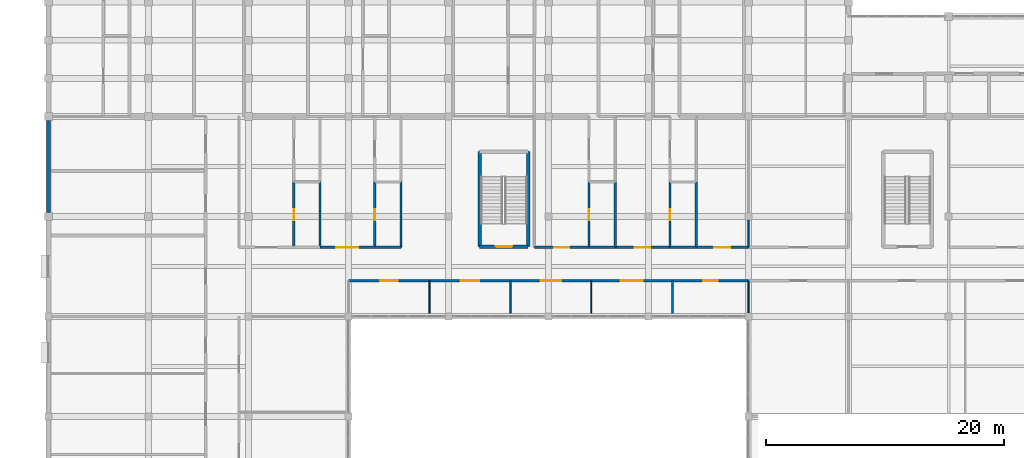
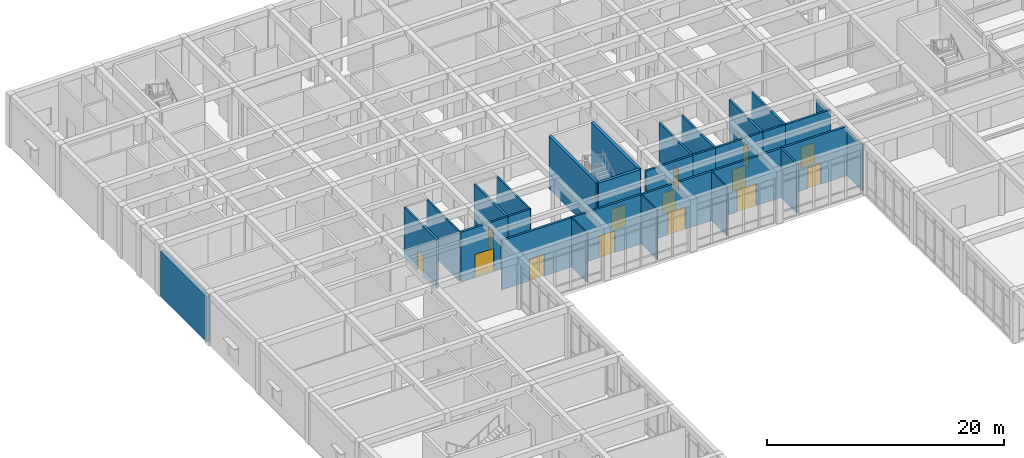
# One storey, part 55 of 89: 30 walls, 14 doors, 14 openings.
"""IFC4 building model written with IfcOpenShell, lengths in metres."""

from ifc_helpers import new_model, si_unit, direction, frame, frame_2d, origin, place, context, subcontext, project, spatial, rectangle, extrude, material, layer, layer_set, type_object, element, fill, save


model = new_model("IFC4")

# Units and contexts
model_context = context("Model", 3, precision=1e-05, world=origin(), true_north=direction((0.0, 1.0)))
body_context = subcontext(model_context, "Body", "Model", "MODEL_VIEW")
ifc_project = project(units=[si_unit("LENGTHUNIT", "METRE"), si_unit("AREAUNIT", "SQUARE_METRE"), si_unit("VOLUMEUNIT", "CUBIC_METRE"), si_unit("PLANEANGLEUNIT", "RADIAN"), si_unit("MASSUNIT", "GRAM", prefix="KILO")], contexts=[model_context])

# Site, building, storey
site_placement = place(None, origin())
site = spatial("IfcSite", under=ifc_project, at=site_placement, CompositionType="ELEMENT")
building_placement = place(site_placement, origin())
building = spatial("IfcBuilding", under=site, at=building_placement, Name="Varncliffe General Hospital", CompositionType="ELEMENT")
storey_placement = place(building_placement, frame((0.0, 0.0, 10.800048828125)))
storey = spatial("IfcBuildingStorey", under=building, at=storey_placement, Name="L02", CompositionType="ELEMENT", Elevation=10.800048828125)

# Walls
ifc_material_1 = material(Name="Precast concrete C40/50 with insulated cream lime-cement stucco", Category="concrete")
ifc_layer_1 = layer(ifc_material_1, 0.35009765625)
ifc_layer_set_1 = layer_set([ifc_layer_1], Name="Precast concrete C40/50 with insulated cream lime-cement stucco")
wall_type_1 = type_object("IfcWallType", Name="Exterior Insulated Stucco Wall EW37 (350mm)", PredefinedType="SOLIDWALL", material=ifc_layer_set_1)
wall_1_placement = place(storey_placement, frame((0.0, 91.52294921875, 0.0), z_axis=(0.0, 0.0, 1.0), x_axis=(0.0, 1.0, 0.0)))
element("IfcWall", 1, at=wall_1_placement, inside=storey, type_object=wall_type_1, Name="L02 Exterior Stucco Wall EW37-230", PredefinedType="SOLIDWALL", context=body_context, shape_type="SweptSolid", body=[
    extrude(rectangle(XDim=7.754150390625, YDim=0.35009765625, at=frame_2d((3.876953125, 0.0))), origin(), (0.0, 0.0, 1.0), 4.679931640625),
])
ifc_material_2 = material(Name="Acoustic clinical gypsum stud partition assembly", Category="gypsum")
ifc_layer_2 = layer(ifc_material_2, 0.1298828125)
ifc_layer_set_2 = layer_set([ifc_layer_2], Name="Acoustic clinical gypsum stud partition assembly")
wall_type_2 = type_object("IfcWallType", Name="Interior Partitioning IW11 (130mm)", PredefinedType="PARTITIONING", material=ifc_layer_set_2)
wall_2_placement = place(storey_placement, frame((38.800048828125, 83.06005859375, 0.0), z_axis=(0.0, 0.0, 1.0), x_axis=(0.0, 1.0, 0.0)))
element("IfcWall", 2, at=wall_2_placement, inside=storey, type_object=wall_type_2, Name="L02 Interior Partition Wall IW11-1168", PredefinedType="PARTITIONING", context=body_context, shape_type="SweptSolid", body=[
    extrude(rectangle(XDim=2.739990234375, YDim=0.1298828125, at=frame_2d((1.3701171875, 0.0))), origin(), (0.0, 0.0, 1.0), 5.070068359375),
])
wall_3_placement = place(storey_placement, frame((58.800048828125, 88.60009765625, 0.0), z_axis=(0.0, 0.0, 1.0), x_axis=(0.0, 1.0, 0.0)))
element("IfcWall", 3, at=wall_3_placement, inside=storey, type_object=wall_type_2, Name="L02 Interior Partition Wall IW11-1194", PredefinedType="PARTITIONING", context=body_context, shape_type="SweptSolid", body=[
    extrude(rectangle(XDim=2.284912109375, YDim=0.1298828125, at=frame_2d((1.142578125, 0.0))), origin(), (0.0, 0.0, 1.0), 4.73486328125),
])
ifc_layer_3 = layer(ifc_material_2, 0.169921875)
ifc_layer_set_3 = layer_set([ifc_layer_3], Name="Acoustic clinical gypsum stud partition assembly")
wall_type_3 = type_object("IfcWallType", Name="Interior Partitioning IW20 (170mm)", PredefinedType="PARTITIONING", material=ifc_layer_set_3)
wall_4_placement = place(storey_placement, frame((52.39990234375, 83.06005859375, 0.0), z_axis=(0.0, 0.0, 1.0), x_axis=(0.0, 1.0, 0.0)))
element("IfcWall", 4, at=wall_4_placement, inside=storey, type_object=wall_type_3, Name="L02 Interior Partition Wall IW20-1185", PredefinedType="PARTITIONING", context=body_context, shape_type="SweptSolid", body=[
    extrude(rectangle(XDim=2.739990234375, YDim=0.169921875, at=frame_2d((1.3701171875, 0.0))), origin(), (0.0, 0.0, 1.0), 5.070068359375),
])
ifc_layer_4 = layer(ifc_material_2, 0.090087890625)
ifc_layer_set_4 = layer_set([ifc_layer_4], Name="Acoustic clinical gypsum stud partition assembly")
wall_type_4 = type_object("IfcWallType", Name="Interior Partitioning IW42 (90mm)", PredefinedType="PARTITIONING", material=ifc_layer_set_4)
wall_5_placement = place(storey_placement, frame((45.60009765625, 83.06005859375, 0.0), z_axis=(0.0, 0.0, 1.0), x_axis=(0.0, 1.0, 0.0)))
element("IfcWall", 5, at=wall_5_placement, inside=storey, type_object=wall_type_4, Name="L02 Interior Partition Wall IW42-1176", PredefinedType="PARTITIONING", context=body_context, shape_type="SweptSolid", body=[
    extrude(rectangle(XDim=2.739990234375, YDim=0.090087890625, at=frame_2d((1.3701171875, 0.0))), origin(), (0.0, 0.0, 1.0), 5.070068359375),
])
ifc_layer_5 = layer(ifc_material_2, 0.110107421875)
ifc_layer_set_5 = layer_set([ifc_layer_5], Name="Acoustic clinical gypsum stud partition assembly")
wall_type_5 = type_object("IfcWallType", Name="Interior Partitioning IW65 (110mm)", PredefinedType="PARTITIONING", material=ifc_layer_set_5)
wall_6_placement = place(storey_placement, frame((32.0, 83.06005859375, 0.0), z_axis=(0.0, 0.0, 1.0), x_axis=(0.0, 1.0, 0.0)))
element("IfcWall", 6, at=wall_6_placement, inside=storey, type_object=wall_type_5, Name="L02 Interior Partition Wall IW65-1162", PredefinedType="PARTITIONING", context=body_context, shape_type="SweptSolid", body=[
    extrude(rectangle(XDim=2.739990234375, YDim=0.110107421875, at=frame_2d((1.3701171875, 0.0))), origin(), (0.0, 0.0, 1.0), 5.070068359375),
])
wall_7_placement = place(storey_placement, frame((58.800048828125, 83.114990234375, 0.0), z_axis=(0.0, 0.0, 1.0), x_axis=(0.0, 1.0, 0.0)))
element("IfcWall", 7, at=wall_7_placement, inside=storey, type_object=wall_type_5, Name="L02 Interior Partition Wall IW65-1192", PredefinedType="PARTITIONING", context=body_context, shape_type="SweptSolid", body=[
    extrude(rectangle(XDim=2.68505859375, YDim=0.110107421875, at=frame_2d((1.342529296875, 0.0))), origin(), (0.0, 0.0, 1.0), 4.73486328125),
])

# Wall, opening, door
ifc_material_3 = material(Name="Fire-rated gypsum and mineral-wool partition assembly", Category="gypsum")
ifc_layer_6 = layer(ifc_material_3, 0.199951171875)
ifc_layer_set_6 = layer_set([ifc_layer_6], Name="Fire-rated gypsum and mineral-wool partition assembly")
wall_type_6 = type_object("IfcWallType", Name="Interior Partitioning PW63 (200mm)", PredefinedType="PARTITIONING", material=ifc_layer_set_6)
wall_8_placement = place(storey_placement, frame((25.199951171875, 85.800048828125, 0.0), z_axis=(0.0, 0.0, 1.0), x_axis=(1.0, 0.0, 0.0)))
wall_8 = element("IfcWall", 8, at=wall_8_placement, inside=storey, type_object=wall_type_6, Name="L02 Interior Partition Wall PW63-951", PredefinedType="PARTITIONING", context=body_context, shape_type="SweptSolid", body=[
    extrude(rectangle(XDim=6.800048828125, YDim=0.199951171875, at=frame_2d((3.39990234375, 0.0))), origin(), (0.0, 0.0, 1.0), 5.070068359375),
])
opening_1_placement = place(wall_8_placement, frame((2.675048828125, 0.0, 0.0)))
opening_1 = element("IfcOpeningElement", 9, at=opening_1_placement, cuts=wall_8, Name="Opening DC66", PredefinedType="OPENING", context=body_context, shape_type="SweptSolid", body=[
    extrude(rectangle(XDim=1.449951171875, YDim=2.25, at=frame_2d((0.72509765625, 1.125))), frame((0.0, 0.10986328125, 0.0), z_axis=(0.0, -1.0, 0.0), x_axis=(1.0, 0.0, 0.0)), (0.0, 0.0, 1.0), 0.219970703125),
])
ifc_material_4 = material(Name="Fire-rated hospital steel-frame vision-panel door", Category="steel")
door_type_1 = type_object("IfcDoorType", Name="Interior Hospital Door DC66 (1450x2250)", OperationType="NOTDEFINED", PredefinedType="DOOR", material=ifc_material_4)
door_1_placement = place(opening_1_placement, frame((1.449951171875, 0.0, 0.0), z_axis=(0.0, 0.0, 1.0), x_axis=(-1.0, 0.0, 0.0)))
door_1 = element("IfcDoor", 10, at=door_1_placement, inside=storey, type_object=door_type_1, Name="L02 Adult Intensive Care Unit Bay 46 Door", OperationType="SINGLE_SWING_RIGHT", OverallHeight=2.25, OverallWidth=1.449951171875, PredefinedType="DOOR", context=body_context, shape_type="SweptSolid", body=[
    extrude(rectangle(XDim=1.449951171875, YDim=2.25, at=frame_2d((0.72509765625, 1.125))), frame((0.0, 0.02490234375, 0.0), z_axis=(0.0, -1.0, 0.0), x_axis=(1.0, 0.0, 0.0)), (0.0, 0.0, 1.0), 0.050048828125),
])
fill(opening_1, door_1)

wall_9_placement = place(storey_placement, frame((32.0, 85.800048828125, 0.0), z_axis=(0.0, 0.0, 1.0), x_axis=(1.0, 0.0, 0.0)))
wall_9 = element("IfcWall", 11, at=wall_9_placement, inside=storey, type_object=wall_type_6, Name="L02 Interior Partition Wall PW63-952", PredefinedType="PARTITIONING", context=body_context, shape_type="SweptSolid", body=[
    extrude(rectangle(XDim=6.800048828125, YDim=0.199951171875, at=frame_2d((3.39990234375, 0.0))), origin(), (0.0, 0.0, 1.0), 5.070068359375),
])
opening_2_placement = place(wall_9_placement, frame((2.625, 0.0, 0.0)))
opening_2 = element("IfcOpeningElement", 12, at=opening_2_placement, cuts=wall_9, Name="Opening DC67", PredefinedType="OPENING", context=body_context, shape_type="SweptSolid", body=[
    extrude(rectangle(XDim=1.550048828125, YDim=2.25, at=frame_2d((0.77490234375, 1.125))), frame((0.0, 0.10986328125, 0.0), z_axis=(0.0, -1.0, 0.0), x_axis=(1.0, 0.0, 0.0)), (0.0, 0.0, 1.0), 0.219970703125),
])
door_type_2 = type_object("IfcDoorType", Name="Interior Hospital Door DC67 (1550x2250)", OperationType="NOTDEFINED", PredefinedType="DOOR", material=ifc_material_4)
door_2_placement = place(opening_2_placement, frame((1.550048828125, 0.0, 0.0), z_axis=(0.0, 0.0, 1.0), x_axis=(-1.0, 0.0, 0.0)))
door_2 = element("IfcDoor", 13, at=door_2_placement, inside=storey, type_object=door_type_2, Name="L02 Coronary Intensive Care Unit Bay 47 Door", OperationType="SINGLE_SWING_LEFT", OverallHeight=2.25, OverallWidth=1.550048828125, PredefinedType="DOOR", context=body_context, shape_type="SweptSolid", body=[
    extrude(rectangle(XDim=1.550048828125, YDim=2.25, at=frame_2d((0.77490234375, 1.125))), frame((0.0, 0.02490234375, 0.0), z_axis=(0.0, -1.0, 0.0), x_axis=(1.0, 0.0, 0.0)), (0.0, 0.0, 1.0), 0.050048828125),
])
fill(opening_2, door_2)

wall_10_placement = place(storey_placement, frame((38.800048828125, 85.800048828125, 0.0), z_axis=(0.0, 0.0, 1.0), x_axis=(1.0, 0.0, 0.0)))
wall_10 = element("IfcWall", 14, at=wall_10_placement, inside=storey, type_object=wall_type_6, Name="L02 Interior Partition Wall PW63-953", PredefinedType="PARTITIONING", context=body_context, shape_type="SweptSolid", body=[
    extrude(rectangle(XDim=6.800048828125, YDim=0.199951171875, at=frame_2d((3.39990234375, 0.0))), origin(), (0.0, 0.0, 1.0), 5.070068359375),
])
opening_3_placement = place(wall_10_placement, frame((2.550048828125, 0.0, 0.0)))
opening_3 = element("IfcOpeningElement", 15, at=opening_3_placement, cuts=wall_10, Name="Opening DC50", PredefinedType="OPENING", context=body_context, shape_type="SweptSolid", body=[
    extrude(rectangle(XDim=1.699951171875, YDim=2.300048828125, at=frame_2d((0.85009765625, 1.14990234375))), frame((0.0, 0.10986328125, 0.0), z_axis=(0.0, -1.0, 0.0), x_axis=(1.0, 0.0, 0.0)), (0.0, 0.0, 1.0), 0.219970703125),
])
door_type_3 = type_object("IfcDoorType", Name="Interior Hospital Door DC50 (1700x2300)", OperationType="NOTDEFINED", PredefinedType="DOOR", material=ifc_material_4)
door_3_placement = place(opening_3_placement, frame((1.699951171875, 0.0, 0.0), z_axis=(0.0, 0.0, 1.0), x_axis=(-1.0, 0.0, 0.0)))
door_3 = element("IfcDoor", 16, at=door_3_placement, inside=storey, type_object=door_type_3, Name="L02 Adult Intensive Care Unit Bay 48 Door", OperationType="SINGLE_SWING_RIGHT", OverallHeight=2.300048828125, OverallWidth=1.699951171875, PredefinedType="DOOR", context=body_context, shape_type="SweptSolid", body=[
    extrude(rectangle(XDim=1.699951171875, YDim=2.300048828125, at=frame_2d((0.85009765625, 1.14990234375))), frame((0.0, 0.02490234375, 0.0), z_axis=(0.0, -1.0, 0.0), x_axis=(1.0, 0.0, 0.0)), (0.0, 0.0, 1.0), 0.050048828125),
])
fill(opening_3, door_3)

wall_11_placement = place(storey_placement, frame((45.60009765625, 85.800048828125, 0.0), z_axis=(0.0, 0.0, 1.0), x_axis=(1.0, 0.0, 0.0)))
wall_11 = element("IfcWall", 17, at=wall_11_placement, inside=storey, type_object=wall_type_6, Name="L02 Interior Partition Wall PW63-954", PredefinedType="PARTITIONING", context=body_context, shape_type="SweptSolid", body=[
    extrude(rectangle(XDim=6.7998046875, YDim=0.199951171875, at=frame_2d((3.39990234375, 0.0))), origin(), (0.0, 0.0, 1.0), 5.070068359375),
])
opening_4_placement = place(wall_11_placement, frame((2.47509765625, 0.0, 0.0)))
opening_4 = element("IfcOpeningElement", 18, at=opening_4_placement, cuts=wall_11, Name="Opening DC38", PredefinedType="OPENING", context=body_context, shape_type="SweptSolid", body=[
    extrude(rectangle(XDim=1.85009765625, YDim=2.300048828125, at=frame_2d((0.925048828125, 1.14990234375))), frame((0.0, 0.10986328125, 0.0), z_axis=(0.0, -1.0, 0.0), x_axis=(1.0, 0.0, 0.0)), (0.0, 0.0, 1.0), 0.219970703125),
])
door_type_4 = type_object("IfcDoorType", Name="Interior Hospital Door DC38 (1850x2300)", OperationType="NOTDEFINED", PredefinedType="DOOR", material=ifc_material_4)
door_4_placement = place(opening_4_placement, frame((1.85009765625, 0.0, 0.0), z_axis=(0.0, 0.0, 1.0), x_axis=(-1.0, 0.0, 0.0)))
door_4 = element("IfcDoor", 19, at=door_4_placement, inside=storey, type_object=door_type_4, Name="L02 Coronary Intensive Care Unit Bay 49 Door", OperationType="SINGLE_SWING_LEFT", OverallHeight=2.300048828125, OverallWidth=1.85009765625, PredefinedType="DOOR", context=body_context, shape_type="SweptSolid", body=[
    extrude(rectangle(XDim=1.85009765625, YDim=2.300048828125, at=frame_2d((0.925048828125, 1.14990234375))), frame((0.0, 0.02490234375, 0.0), z_axis=(0.0, -1.0, 0.0), x_axis=(1.0, 0.0, 0.0)), (0.0, 0.0, 1.0), 0.050048828125),
])
fill(opening_4, door_4)

wall_12_placement = place(storey_placement, frame((52.39990234375, 85.800048828125, 0.0), z_axis=(0.0, 0.0, 1.0), x_axis=(1.0, 0.0, 0.0)))
wall_12 = element("IfcWall", 20, at=wall_12_placement, inside=storey, type_object=wall_type_6, Name="L02 Interior Partition Wall PW63-955", PredefinedType="PARTITIONING", context=body_context, shape_type="SweptSolid", body=[
    extrude(rectangle(XDim=6.400146484375, YDim=0.199951171875, at=frame_2d((3.2001953125, 0.0))), origin(), (0.0, 0.0, 1.0), 5.070068359375),
])
opening_5_placement = place(wall_12_placement, frame((2.574951171875, 0.0, 0.0)))
opening_5 = element("IfcOpeningElement", 21, at=opening_5_placement, cuts=wall_12, Name="Opening DC44", PredefinedType="OPENING", context=body_context, shape_type="SweptSolid", body=[
    extrude(rectangle(XDim=1.25, YDim=2.14990234375, at=frame_2d((0.625, 1.074951171875))), frame((0.0, 0.10986328125, 0.0), z_axis=(0.0, -1.0, 0.0), x_axis=(1.0, 0.0, 0.0)), (0.0, 0.0, 1.0), 0.219970703125),
])
door_type_5 = type_object("IfcDoorType", Name="Interior Hospital Door DC44 (1250x2150)", OperationType="NOTDEFINED", PredefinedType="DOOR", material=ifc_material_4)
door_5_placement = place(opening_5_placement, frame((1.25, 0.0, 0.0), z_axis=(0.0, 0.0, 1.0), x_axis=(-1.0, 0.0, 0.0)))
door_5 = element("IfcDoor", 22, at=door_5_placement, inside=storey, type_object=door_type_5, Name="L02 Adult Intensive Care Unit Bay 50 Door", OperationType="SINGLE_SWING_RIGHT", OverallHeight=2.14990234375, OverallWidth=1.25, PredefinedType="DOOR", context=body_context, shape_type="SweptSolid", body=[
    extrude(rectangle(XDim=1.25, YDim=2.14990234375, at=frame_2d((0.625, 1.074951171875))), frame((0.0, 0.02490234375, 0.0), z_axis=(0.0, -1.0, 0.0), x_axis=(1.0, 0.0, 0.0)), (0.0, 0.0, 1.0), 0.050048828125),
])
fill(opening_5, door_5)

wall_13_placement = place(storey_placement, frame((22.800048828125, 88.60009765625, 0.0), z_axis=(0.0, 0.0, 1.0), x_axis=(1.0, 0.0, 0.0)))
wall_13 = element("IfcWall", 23, at=wall_13_placement, inside=storey, type_object=wall_type_6, Name="L02 Interior Partition Wall PW63-969", PredefinedType="PARTITIONING", context=body_context, shape_type="SweptSolid", body=[
    extrude(rectangle(XDim=4.599853515625, YDim=0.199951171875, at=frame_2d((2.2998046875, 0.0))), origin(), (0.0, 0.0, 1.0), 5.070068359375),
])
opening_6_placement = place(wall_13_placement, frame((1.375, 0.0, 0.0)))
opening_6 = element("IfcOpeningElement", 24, at=opening_6_placement, cuts=wall_13, Name="Opening DC38", PredefinedType="OPENING", context=body_context, shape_type="SweptSolid", body=[
    extrude(rectangle(XDim=1.85009765625, YDim=2.300048828125, at=frame_2d((0.925048828125, 1.14990234375))), frame((0.0, 0.10986328125, 0.0), z_axis=(0.0, -1.0, 0.0), x_axis=(1.0, 0.0, 0.0)), (0.0, 0.0, 1.0), 0.219970703125),
])
door_6_placement = place(opening_6_placement, origin())
door_6 = element("IfcDoor", 25, at=door_6_placement, inside=storey, type_object=door_type_4, Name="L02 Coronary Intensive Care Unit Bay 54 Door", OperationType="SINGLE_SWING_LEFT", OverallHeight=2.300048828125, OverallWidth=1.85009765625, PredefinedType="DOOR", context=body_context, shape_type="SweptSolid", body=[
    extrude(rectangle(XDim=1.85009765625, YDim=2.300048828125, at=frame_2d((0.925048828125, 1.14990234375))), frame((0.0, 0.02490234375, 0.0), z_axis=(0.0, -1.0, 0.0), x_axis=(1.0, 0.0, 0.0)), (0.0, 0.0, 1.0), 0.050048828125),
])
fill(opening_6, door_6)

wall_14_placement = place(storey_placement, frame((40.800048828125, 88.60009765625, 0.0), z_axis=(0.0, 0.0, 1.0), x_axis=(1.0, 0.0, 0.0)))
wall_14 = element("IfcWall", 26, at=wall_14_placement, inside=storey, type_object=wall_type_6, Name="L02 Interior Partition Wall PW63-971", PredefinedType="PARTITIONING", context=body_context, shape_type="SweptSolid", body=[
    extrude(rectangle(XDim=4.599853515625, YDim=0.199951171875, at=frame_2d((2.2998046875, 0.0))), origin(), (0.0, 0.0, 1.0), 5.070068359375),
])
opening_7_placement = place(wall_14_placement, frame((1.675048828125, 0.0, 0.0)))
opening_7 = element("IfcOpeningElement", 27, at=opening_7_placement, cuts=wall_14, Name="Opening DC44", PredefinedType="OPENING", context=body_context, shape_type="SweptSolid", body=[
    extrude(rectangle(XDim=1.25, YDim=2.14990234375, at=frame_2d((0.625, 1.074951171875))), frame((0.0, 0.10986328125, 0.0), z_axis=(0.0, -1.0, 0.0), x_axis=(1.0, 0.0, 0.0)), (0.0, 0.0, 1.0), 0.219970703125),
])
door_7_placement = place(opening_7_placement, origin())
door_7 = element("IfcDoor", 28, at=door_7_placement, inside=storey, type_object=door_type_5, Name="L02 Adult Intensive Care Unit Bay 57 Door", OperationType="SINGLE_SWING_RIGHT", OverallHeight=2.14990234375, OverallWidth=1.25, PredefinedType="DOOR", context=body_context, shape_type="SweptSolid", body=[
    extrude(rectangle(XDim=1.25, YDim=2.14990234375, at=frame_2d((0.625, 1.074951171875))), frame((0.0, 0.02490234375, 0.0), z_axis=(0.0, -1.0, 0.0), x_axis=(1.0, 0.0, 0.0)), (0.0, 0.0, 1.0), 0.050048828125),
])
fill(opening_7, door_7)

wall_15_placement = place(storey_placement, frame((47.60009765625, 88.60009765625, 0.0), z_axis=(0.0, 0.0, 1.0), x_axis=(1.0, 0.0, 0.0)))
wall_15 = element("IfcWall", 29, at=wall_15_placement, inside=storey, type_object=wall_type_6, Name="L02 Interior Partition Wall PW63-973", PredefinedType="PARTITIONING", context=body_context, shape_type="SweptSolid", body=[
    extrude(rectangle(XDim=4.599853515625, YDim=0.199951171875, at=frame_2d((2.2998046875, 0.0))), origin(), (0.0, 0.0, 1.0), 5.070068359375),
])
opening_8_placement = place(wall_15_placement, frame((1.64990234375, 0.0, 0.0)))
opening_8 = element("IfcOpeningElement", 30, at=opening_8_placement, cuts=wall_15, Name="Opening DC88", PredefinedType="OPENING", context=body_context, shape_type="SweptSolid", body=[
    extrude(rectangle(XDim=1.300048828125, YDim=2.199951171875, at=frame_2d((0.64990234375, 1.10009765625))), frame((0.0, 0.10986328125, 0.0), z_axis=(0.0, -1.0, 0.0), x_axis=(1.0, 0.0, 0.0)), (0.0, 0.0, 1.0), 0.219970703125),
])
door_type_6 = type_object("IfcDoorType", Name="Interior Hospital Door DC88 (1300x2200)", OperationType="NOTDEFINED", PredefinedType="DOOR", material=ifc_material_4)
door_8_placement = place(opening_8_placement, origin())
door_8 = element("IfcDoor", 31, at=door_8_placement, inside=storey, type_object=door_type_6, Name="L02 Coronary Intensive Care Unit Bay 60 Door", OperationType="SINGLE_SWING_LEFT", OverallHeight=2.199951171875, OverallWidth=1.300048828125, PredefinedType="DOOR", context=body_context, shape_type="SweptSolid", body=[
    extrude(rectangle(XDim=1.300048828125, YDim=2.199951171875, at=frame_2d((0.64990234375, 1.10009765625))), frame((0.0, 0.02490234375, 0.0), z_axis=(0.0, -1.0, 0.0), x_axis=(1.0, 0.0, 0.0)), (0.0, 0.0, 1.0), 0.050048828125),
])
fill(opening_8, door_8)

wall_16_placement = place(storey_placement, frame((54.39990234375, 88.60009765625, 0.0), z_axis=(0.0, 0.0, 1.0), x_axis=(1.0, 0.0, 0.0)))
wall_16 = element("IfcWall", 32, at=wall_16_placement, inside=storey, type_object=wall_type_6, Name="L02 Interior Partition Wall PW63-975", PredefinedType="PARTITIONING", context=body_context, shape_type="SweptSolid", body=[
    extrude(rectangle(XDim=4.400146484375, YDim=0.199951171875, at=frame_2d((2.2001953125, 0.0))), origin(), (0.0, 0.0, 1.0), 5.070068359375),
])
opening_9_placement = place(wall_16_placement, frame((1.52490234375, 0.0, 0.0)))
opening_9 = element("IfcOpeningElement", 33, at=opening_9_placement, cuts=wall_16, Name="Opening DC85", PredefinedType="OPENING", context=body_context, shape_type="SweptSolid", body=[
    extrude(rectangle(XDim=1.35009765625, YDim=2.199951171875, at=frame_2d((0.675048828125, 1.10009765625))), frame((0.0, 0.10986328125, 0.0), z_axis=(0.0, -1.0, 0.0), x_axis=(1.0, 0.0, 0.0)), (0.0, 0.0, 1.0), 0.219970703125),
])
door_type_7 = type_object("IfcDoorType", Name="Interior Hospital Door DC85 (1350x2200)", OperationType="NOTDEFINED", PredefinedType="DOOR", material=ifc_material_4)
door_9_placement = place(opening_9_placement, origin())
door_9 = element("IfcDoor", 34, at=door_9_placement, inside=storey, type_object=door_type_7, Name="L02 Adult Intensive Care Unit Bay 63 Door", OperationType="SINGLE_SWING_RIGHT", OverallHeight=2.199951171875, OverallWidth=1.35009765625, PredefinedType="DOOR", context=body_context, shape_type="SweptSolid", body=[
    extrude(rectangle(XDim=1.35009765625, YDim=2.199951171875, at=frame_2d((0.675048828125, 1.10009765625))), frame((0.0, 0.02490234375, 0.0), z_axis=(0.0, -1.0, 0.0), x_axis=(1.0, 0.0, 0.0)), (0.0, 0.0, 1.0), 0.050048828125),
])
fill(opening_9, door_9)

wall_17_placement = place(storey_placement, frame((20.60009765625, 88.60009765625, 0.0), z_axis=(0.0, 0.0, 1.0), x_axis=(0.0, 1.0, 0.0)))
wall_17 = element("IfcWall", 35, at=wall_17_placement, inside=storey, type_object=wall_type_6, Name="L02 Interior Partition Wall PW63-1146", PredefinedType="PARTITIONING", context=body_context, shape_type="SweptSolid", body=[
    extrude(rectangle(XDim=5.5, YDim=0.199951171875, at=frame_2d((2.75, 0.0))), origin(), (0.0, 0.0, 1.0), 5.070068359375),
])
opening_10_placement = place(wall_17_placement, frame((2.2900390625, 0.0, 0.0)))
opening_10 = element("IfcOpeningElement", 36, at=opening_10_placement, cuts=wall_17, Name="Opening DI70", PredefinedType="OPENING", context=body_context, shape_type="SweptSolid", body=[
    extrude(rectangle(XDim=0.919921875, YDim=2.10009765625, at=frame_2d((0.4599609375, 1.050048828125))), frame((0.0, 0.10986328125, 0.0), z_axis=(0.0, -1.0, 0.0), x_axis=(1.0, 0.0, 0.0)), (0.0, 0.0, 1.0), 0.219970703125),
])
ifc_material_5 = material(Name="Solid-core antimicrobial hospital oak veneer door", Category="wood")
door_type_8 = type_object("IfcDoorType", Name="Interior Hospital Door DI70 (920x2100)", OperationType="NOTDEFINED", PredefinedType="DOOR", material=ifc_material_5)
door_10_placement = place(opening_10_placement, frame((0.919921875, 0.0, 0.0), z_axis=(0.0, 0.0, 1.0), x_axis=(-1.0, 0.0, 0.0)))
door_10 = element("IfcDoor", 37, at=door_10_placement, inside=storey, type_object=door_type_8, Name="L02 En-Suite Bathroom 52 Door", OperationType="SINGLE_SWING_RIGHT", OverallHeight=2.10009765625, OverallWidth=0.919921875, PredefinedType="DOOR", context=body_context, shape_type="SweptSolid", body=[
    extrude(rectangle(XDim=0.919921875, YDim=2.10009765625, at=frame_2d((0.4599609375, 1.050048828125))), frame((0.0, 0.02490234375, 0.0), z_axis=(0.0, -1.0, 0.0), x_axis=(1.0, 0.0, 0.0)), (0.0, 0.0, 1.0), 0.050048828125),
])
fill(opening_10, door_10)

wall_18_placement = place(storey_placement, frame((27.39990234375, 88.60009765625, 0.0), z_axis=(0.0, 0.0, 1.0), x_axis=(0.0, 1.0, 0.0)))
wall_18 = element("IfcWall", 38, at=wall_18_placement, inside=storey, type_object=wall_type_6, Name="L02 Interior Partition Wall PW63-1155", PredefinedType="PARTITIONING", context=body_context, shape_type="SweptSolid", body=[
    extrude(rectangle(XDim=5.5, YDim=0.199951171875, at=frame_2d((2.75, 0.0))), origin(), (0.0, 0.0, 1.0), 5.070068359375),
])
opening_11_placement = place(wall_18_placement, frame((2.2900390625, 0.0, 0.0)))
opening_11 = element("IfcOpeningElement", 39, at=opening_11_placement, cuts=wall_18, Name="Opening DI70", PredefinedType="OPENING", context=body_context, shape_type="SweptSolid", body=[
    extrude(rectangle(XDim=0.919921875, YDim=2.10009765625, at=frame_2d((0.4599609375, 1.050048828125))), frame((0.0, 0.10986328125, 0.0), z_axis=(0.0, -1.0, 0.0), x_axis=(1.0, 0.0, 0.0)), (0.0, 0.0, 1.0), 0.219970703125),
])
door_11_placement = place(opening_11_placement, frame((0.919921875, 0.0, 0.0), z_axis=(0.0, 0.0, 1.0), x_axis=(-1.0, 0.0, 0.0)))
door_11 = element("IfcDoor", 40, at=door_11_placement, inside=storey, type_object=door_type_8, Name="L02 En-Suite Bathroom 55 Door", OperationType="SINGLE_SWING_RIGHT", OverallHeight=2.10009765625, OverallWidth=0.919921875, PredefinedType="DOOR", context=body_context, shape_type="SweptSolid", body=[
    extrude(rectangle(XDim=0.919921875, YDim=2.10009765625, at=frame_2d((0.4599609375, 1.050048828125))), frame((0.0, 0.02490234375, 0.0), z_axis=(0.0, -1.0, 0.0), x_axis=(1.0, 0.0, 0.0)), (0.0, 0.0, 1.0), 0.050048828125),
])
fill(opening_11, door_11)

wall_19_placement = place(storey_placement, frame((45.39990234375, 88.60009765625, 0.0), z_axis=(0.0, 0.0, 1.0), x_axis=(0.0, 1.0, 0.0)))
wall_19 = element("IfcWall", 41, at=wall_19_placement, inside=storey, type_object=wall_type_6, Name="L02 Interior Partition Wall PW63-1174", PredefinedType="PARTITIONING", context=body_context, shape_type="SweptSolid", body=[
    extrude(rectangle(XDim=5.5, YDim=0.199951171875, at=frame_2d((2.75, 0.0))), origin(), (0.0, 0.0, 1.0), 5.070068359375),
])
opening_12_placement = place(wall_19_placement, frame((2.2900390625, 0.0, 0.0)))
opening_12 = element("IfcOpeningElement", 42, at=opening_12_placement, cuts=wall_19, Name="Opening DI70", PredefinedType="OPENING", context=body_context, shape_type="SweptSolid", body=[
    extrude(rectangle(XDim=0.919921875, YDim=2.10009765625, at=frame_2d((0.4599609375, 1.050048828125))), frame((0.0, 0.10986328125, 0.0), z_axis=(0.0, -1.0, 0.0), x_axis=(1.0, 0.0, 0.0)), (0.0, 0.0, 1.0), 0.219970703125),
])
door_12_placement = place(opening_12_placement, frame((0.919921875, 0.0, 0.0), z_axis=(0.0, 0.0, 1.0), x_axis=(-1.0, 0.0, 0.0)))
door_12 = element("IfcDoor", 43, at=door_12_placement, inside=storey, type_object=door_type_8, Name="L02 En-Suite Bathroom 58 Door", OperationType="SINGLE_SWING_RIGHT", OverallHeight=2.10009765625, OverallWidth=0.919921875, PredefinedType="DOOR", context=body_context, shape_type="SweptSolid", body=[
    extrude(rectangle(XDim=0.919921875, YDim=2.10009765625, at=frame_2d((0.4599609375, 1.050048828125))), frame((0.0, 0.02490234375, 0.0), z_axis=(0.0, -1.0, 0.0), x_axis=(1.0, 0.0, 0.0)), (0.0, 0.0, 1.0), 0.050048828125),
])
fill(opening_12, door_12)

wall_20_placement = place(storey_placement, frame((52.199951171875, 88.60009765625, 0.0), z_axis=(0.0, 0.0, 1.0), x_axis=(0.0, 1.0, 0.0)))
wall_20 = element("IfcWall", 44, at=wall_20_placement, inside=storey, type_object=wall_type_6, Name="L02 Interior Partition Wall PW63-1183", PredefinedType="PARTITIONING", context=body_context, shape_type="SweptSolid", body=[
    extrude(rectangle(XDim=5.5, YDim=0.199951171875, at=frame_2d((2.75, 0.0))), origin(), (0.0, 0.0, 1.0), 5.070068359375),
])
opening_13_placement = place(wall_20_placement, frame((2.2900390625, 0.0, 0.0)))
opening_13 = element("IfcOpeningElement", 45, at=opening_13_placement, cuts=wall_20, Name="Opening DI70", PredefinedType="OPENING", context=body_context, shape_type="SweptSolid", body=[
    extrude(rectangle(XDim=0.919921875, YDim=2.10009765625, at=frame_2d((0.4599609375, 1.050048828125))), frame((0.0, 0.10986328125, 0.0), z_axis=(0.0, -1.0, 0.0), x_axis=(1.0, 0.0, 0.0)), (0.0, 0.0, 1.0), 0.219970703125),
])
door_13_placement = place(opening_13_placement, frame((0.919921875, 0.0, 0.0), z_axis=(0.0, 0.0, 1.0), x_axis=(-1.0, 0.0, 0.0)))
door_13 = element("IfcDoor", 46, at=door_13_placement, inside=storey, type_object=door_type_8, Name="L02 En-Suite Bathroom 61 Door", OperationType="SINGLE_SWING_RIGHT", OverallHeight=2.10009765625, OverallWidth=0.919921875, PredefinedType="DOOR", context=body_context, shape_type="SweptSolid", body=[
    extrude(rectangle(XDim=0.919921875, YDim=2.10009765625, at=frame_2d((0.4599609375, 1.050048828125))), frame((0.0, 0.02490234375, 0.0), z_axis=(0.0, -1.0, 0.0), x_axis=(1.0, 0.0, 0.0)), (0.0, 0.0, 1.0), 0.050048828125),
])
fill(opening_13, door_13)

# Walls
ifc_material_6 = material(Name="Moisture-resistant plumbing chase wall assembly", Category="gypsum")
ifc_layer_7 = layer(ifc_material_6, 0.18994140625)
ifc_layer_set_7 = layer_set([ifc_layer_7], Name="Moisture-resistant plumbing chase wall assembly")
wall_type_7 = type_object("IfcWallType", Name="Interior Plumbingwall MW17 (190mm)", PredefinedType="PLUMBINGWALL", material=ifc_layer_set_7)
for number, where, z_axis, x_axis, name in (
    (47, (27.39990234375, 88.60009765625, 0.0), (0.0, 0.0, 1.0), (1.0, 0.0, 0.0), "L02 Interior Plumbing Wall MW17-970"),
    (48, (45.39990234375, 88.60009765625, 0.0), (0.0, 0.0, 1.0), (1.0, 0.0, 0.0), "L02 Interior Plumbing Wall MW17-972"),
):
    element("IfcWall", number, at=place(storey_placement, frame(where, z_axis=z_axis, x_axis=x_axis)), inside=storey, type_object=wall_type_7, Name=name, PredefinedType="PLUMBINGWALL", context=body_context, shape_type="SweptSolid", body=[
        extrude(rectangle(XDim=2.2001953125, YDim=0.18994140625, at=frame_2d((1.10009765625, 0.0))), origin(), (0.0, 0.0, 1.0), 5.070068359375),
    ])
wall_21_placement = place(storey_placement, frame((52.199951171875, 88.60009765625, 0.0), z_axis=(0.0, 0.0, 1.0), x_axis=(1.0, 0.0, 0.0)))
element("IfcWall", 49, at=wall_21_placement, inside=storey, type_object=wall_type_7, Name="L02 Interior Plumbing Wall MW17-974", PredefinedType="PLUMBINGWALL", context=body_context, shape_type="SweptSolid", body=[
    extrude(rectangle(XDim=2.199951171875, YDim=0.18994140625, at=frame_2d((1.10009765625, 0.0))), origin(), (0.0, 0.0, 1.0), 5.070068359375),
])
for number, where, z_axis, x_axis, name in (
    (50, (47.60009765625, 88.60009765625, 0.0), (0.0, 0.0, 1.0), (0.0, 1.0, 0.0), "L02 Interior Plumbing Wall MW17-1178"),
    (51, (54.39990234375, 88.60009765625, 0.0), (0.0, 0.0, 1.0), (0.0, 1.0, 0.0), "L02 Interior Plumbing Wall MW17-1188"),
):
    element("IfcWall", number, at=place(storey_placement, frame(where, z_axis=z_axis, x_axis=x_axis)), inside=storey, type_object=wall_type_7, Name=name, PredefinedType="PLUMBINGWALL", context=body_context, shape_type="SweptSolid", body=[
        extrude(rectangle(XDim=5.5, YDim=0.18994140625, at=frame_2d((2.75, 0.0))), origin(), (0.0, 0.0, 1.0), 5.070068359375),
    ])
ifc_layer_8 = layer(ifc_material_6, 0.159912109375)
ifc_layer_set_8 = layer_set([ifc_layer_8], Name="Moisture-resistant plumbing chase wall assembly")
wall_type_8 = type_object("IfcWallType", Name="Interior Plumbingwall MW31 (160mm)", PredefinedType="PLUMBINGWALL", material=ifc_layer_set_8)
for number, where, z_axis, x_axis, name in (
    (52, (22.800048828125, 88.60009765625, 0.0), (0.0, 0.0, 1.0), (0.0, 1.0, 0.0), "L02 Interior Plumbing Wall MW31-1149"),
    (53, (29.60009765625, 88.60009765625, 0.0), (0.0, 0.0, 1.0), (0.0, 1.0, 0.0), "L02 Interior Plumbing Wall MW31-1159"),
):
    element("IfcWall", number, at=place(storey_placement, frame(where, z_axis=z_axis, x_axis=x_axis)), inside=storey, type_object=wall_type_8, Name=name, PredefinedType="PLUMBINGWALL", context=body_context, shape_type="SweptSolid", body=[
        extrude(rectangle(XDim=5.5, YDim=0.159912109375, at=frame_2d((2.75, 0.0))), origin(), (0.0, 0.0, 1.0), 5.070068359375),
    ])
ifc_material_7 = material(Name="Concrete C40/50 (CSA A23.1 40 MPa)", Category="concrete")
ifc_layer_9 = layer(ifc_material_7, 0.280029296875)
ifc_layer_set_9 = layer_set([ifc_layer_9], Name="Concrete C40/50 (CSA A23.1 40 MPa)")
wall_type_9 = type_object("IfcWallType", Name="Reinforced Concrete Core Shear Wall CW13 (280mm)", PredefinedType="SHEAR", material=ifc_layer_set_9)
for number, where, z_axis, x_axis, name in (
    (54, (40.2900390625, 88.659912109375, 0.0), (0.0, 0.0, 1.0), (0.0, 1.0, 0.0), "L02 ST13 Core Shear Wall L"),
    (55, (36.2099609375, 96.639892578125, 0.0), (0.0, 0.0, 1.0), (0.0, -1.0, 0.0), "L02 ST13 Core Shear Wall R"),
):
    element("IfcWall", number, at=place(storey_placement, frame(where, z_axis=z_axis, x_axis=x_axis)), inside=storey, type_object=wall_type_9, Name=name, PredefinedType="SHEAR", context=body_context, shape_type="SweptSolid", body=[
        extrude(rectangle(XDim=7.97998046875, YDim=0.280029296875, at=frame_2d((3.989990234375, 0.0))), origin(), (0.0, 0.0, 1.0), 5.39990234375),
    ])

# Wall, opening, door
wall_22_placement = place(storey_placement, frame((36.2099609375, 88.659912109375, 0.0), z_axis=(0.0, 0.0, 1.0), x_axis=(1.0, 0.0, 0.0)))
wall_22 = element("IfcWall", 56, at=wall_22_placement, inside=storey, type_object=wall_type_9, Name="L02 ST13 Core Shear Wall N", PredefinedType="SHEAR", context=body_context, shape_type="SweptSolid", body=[
    extrude(rectangle(XDim=4.080078125, YDim=0.280029296875, at=frame_2d((2.0400390625, 0.0))), origin(), (0.0, 0.0, 1.0), 5.39990234375),
])
opening_14_placement = place(wall_22_placement, frame((1.340087890625, 0.0, 0.0)))
opening_14 = element("IfcOpeningElement", 57, at=opening_14_placement, cuts=wall_22, Name="Opening DF81", PredefinedType="OPENING", context=body_context, shape_type="SweptSolid", body=[
    extrude(rectangle(XDim=1.39990234375, YDim=2.199951171875, at=frame_2d((0.699951171875, 1.10009765625))), frame((0.0, 0.14990234375, 0.0), z_axis=(0.0, -1.0, 0.0), x_axis=(1.0, 0.0, 0.0)), (0.0, 0.0, 1.0), 0.300048828125),
])
door_type_9 = type_object("IfcDoorType", Name="Interior Hospital Door DF81 (1400x2200)", OperationType="NOTDEFINED", PredefinedType="DOOR", material=ifc_material_4)
door_14_placement = place(opening_14_placement, frame((1.39990234375, 0.0, 0.0), z_axis=(0.0, 0.0, 1.0), x_axis=(-1.0, 0.0, 0.0)))
door_14 = element("IfcDoor", 58, at=door_14_placement, inside=storey, type_object=door_type_9, Name="L02 ST13 Protected Exit Stair Door", OperationType="SINGLE_SWING_RIGHT", OverallHeight=2.199951171875, OverallWidth=1.39990234375, PredefinedType="DOOR", context=body_context, shape_type="SweptSolid", body=[
    extrude(rectangle(XDim=1.39990234375, YDim=2.199951171875, at=frame_2d((0.699951171875, 1.10009765625))), frame((0.0, 0.02490234375, 0.0), z_axis=(0.0, -1.0, 0.0), x_axis=(1.0, 0.0, 0.0)), (0.0, 0.0, 1.0), 0.050048828125),
])
fill(opening_14, door_14)

save(model, "model.ifc")
